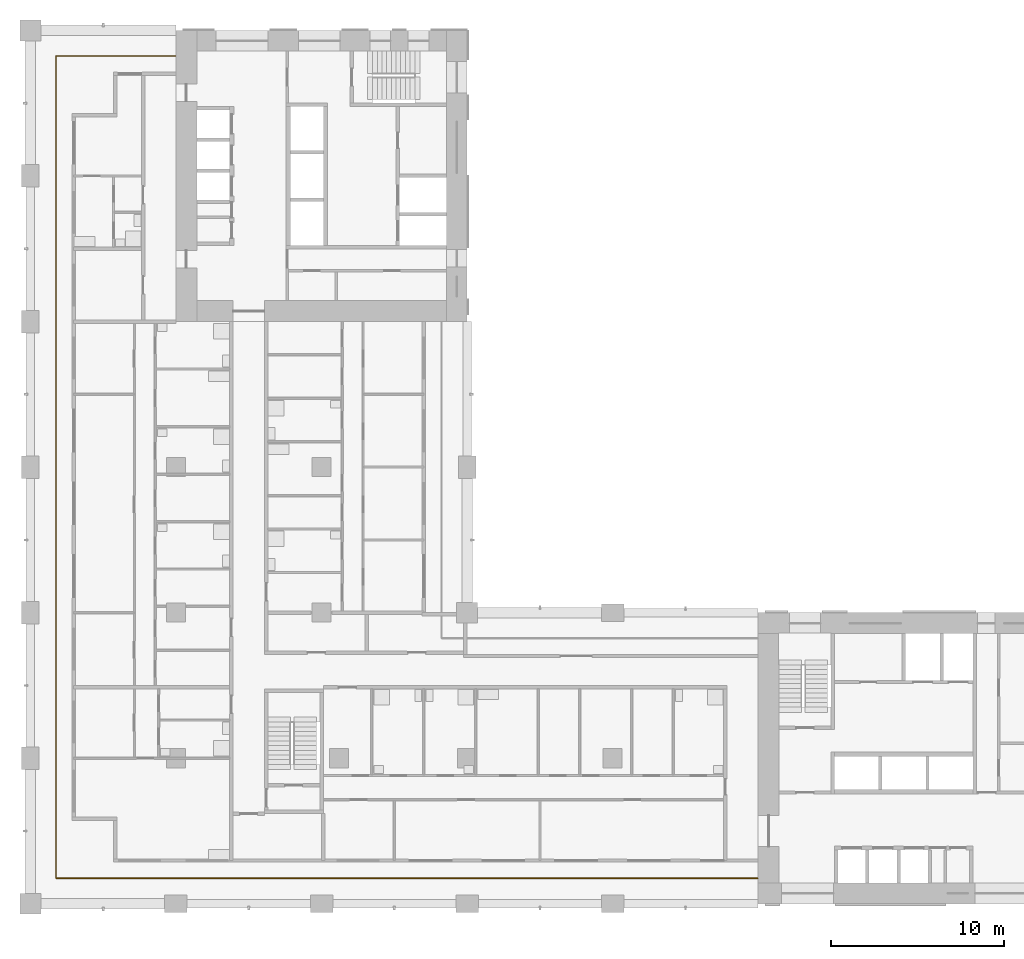
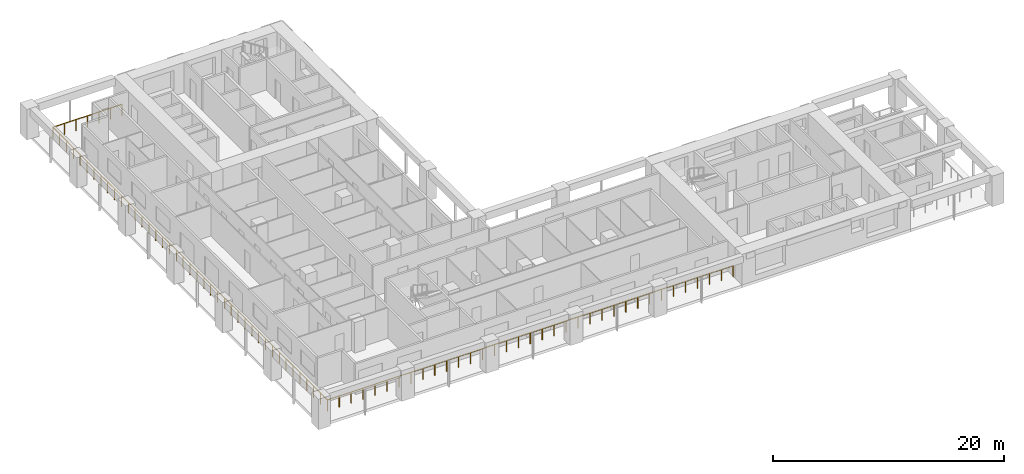
# One storey, part 10 of 16: 1 railing.
"""IFC4 building model written with IfcOpenShell, lengths in metres."""

from ifc_helpers import new_model, si_unit, direction, frame, origin, origin_2d, place, context, subcontext, project, spatial, circle, extrude, material, type_object, element, save


model = new_model("IFC4")

# Units and contexts
model_context = context("Model", 3, precision=1e-05, world=origin(), true_north=direction((0.0, 1.0)))
body_context = subcontext(model_context, "Body", "Model", "MODEL_VIEW")
ifc_project = project(units=[si_unit("LENGTHUNIT", "METRE"), si_unit("AREAUNIT", "SQUARE_METRE"), si_unit("VOLUMEUNIT", "CUBIC_METRE"), si_unit("PLANEANGLEUNIT", "RADIAN"), si_unit("MASSUNIT", "GRAM", prefix="KILO")], contexts=[model_context])

# Site, building, storey
site_placement = place(None, origin())
site = spatial("IfcSite", under=ifc_project, at=site_placement, CompositionType="ELEMENT")
building_placement = place(site_placement, origin())
building = spatial("IfcBuilding", under=site, at=building_placement, Name="Vermilion Gate Residences", CompositionType="ELEMENT")
storey_placement = place(building_placement, frame((0.0, 0.0, 130.199951171875)))
storey = spatial("IfcBuildingStorey", under=building, at=storey_placement, Name="L33", CompositionType="ELEMENT", Elevation=130.199951171875)

# Railing
ifc_material = material(Name="Stainless steel and toughened glass", Category="steel")
railing_type = type_object("IfcRailingType", Name="LOGGIA GUARD STEEL AND GLASS 1200", PredefinedType="GUARDRAIL", material=ifc_material)
railing_placement = place(storey_placement, frame((8.3779296875, 57.324951171875, 0.0)))
element("IfcRailing", 1, at=railing_placement, inside=storey, type_object=railing_type, Name="Loggia guard", PredefinedType="GUARDRAIL", context=body_context, shape_type="SweptSolid", body=[
    extrude(circle(Radius=0.030029296875, at=origin_2d()), frame((0.0, 0.0, 1.169921875), z_axis=(-1.0, 0.0, 0.0), x_axis=(0.0, -1.0, 0.0)), (0.0, 0.0, 1.0), 6.90283203125),
    extrude(circle(Radius=0.030029296875, at=origin_2d()), frame((-6.90283203125, 0.0, 1.169921875), z_axis=(0.0, -1.0, 0.0), x_axis=(1.0, 0.0, 0.0)), (0.0, 0.0, 1.0), 47.449951171875),
    extrude(circle(Radius=0.030029296875, at=origin_2d()), frame((-6.90283203125, -47.449951171875, 1.169921875), z_axis=(1.0, 0.0, 0.0), x_axis=(0.0, 1.0, 0.0)), (0.0, 0.0, 1.0), 40.5029296875),
    extrude(circle(Radius=0.02490234375, at=origin_2d()), origin(), (0.0, 0.0, 1.0), 1.139892578125),
    extrude(circle(Radius=0.02490234375, at=origin_2d()), frame((-1.150390625, 0.0, 0.0)), (0.0, 0.0, 1.0), 1.139892578125),
    extrude(circle(Radius=0.02490234375, at=origin_2d()), frame((-2.301025390625, 0.0, 0.0)), (0.0, 0.0, 1.0), 1.139892578125),
    extrude(circle(Radius=0.02490234375, at=origin_2d()), frame((-3.451416015625, 0.0, 0.0)), (0.0, 0.0, 1.0), 1.139892578125),
    extrude(circle(Radius=0.02490234375, at=origin_2d()), frame((-4.601806640625, 0.0, 0.0)), (0.0, 0.0, 1.0), 1.139892578125),
    extrude(circle(Radius=0.02490234375, at=origin_2d()), frame((-5.75244140625, 0.0, 0.0)), (0.0, 0.0, 1.0), 1.139892578125),
    extrude(circle(Radius=0.02490234375, at=origin_2d()), frame((-6.90283203125, 0.0, 0.0)), (0.0, 0.0, 1.0), 1.139892578125),
    extrude(circle(Radius=0.02490234375, at=origin_2d()), frame((-6.90283203125, -1.186279296875, 0.0)), (0.0, 0.0, 1.0), 1.139892578125),
    extrude(circle(Radius=0.02490234375, at=origin_2d()), frame((-6.90283203125, -2.37255859375, 0.0)), (0.0, 0.0, 1.0), 1.139892578125),
    extrude(circle(Radius=0.02490234375, at=origin_2d()), frame((-6.90283203125, -3.558837890625, 0.0)), (0.0, 0.0, 1.0), 1.139892578125),
    extrude(circle(Radius=0.02490234375, at=origin_2d()), frame((-6.90283203125, -4.7451171875, 0.0)), (0.0, 0.0, 1.0), 1.139892578125),
    extrude(circle(Radius=0.02490234375, at=origin_2d()), frame((-6.90283203125, -5.93115234375, 0.0)), (0.0, 0.0, 1.0), 1.139892578125),
    extrude(circle(Radius=0.02490234375, at=origin_2d()), frame((-6.90283203125, -7.117431640625, 0.0)), (0.0, 0.0, 1.0), 1.139892578125),
    extrude(circle(Radius=0.02490234375, at=origin_2d()), frame((-6.90283203125, -8.3037109375, 0.0)), (0.0, 0.0, 1.0), 1.139892578125),
    extrude(circle(Radius=0.02490234375, at=origin_2d()), frame((-6.90283203125, -9.489990234375, 0.0)), (0.0, 0.0, 1.0), 1.139892578125),
    extrude(circle(Radius=0.02490234375, at=origin_2d()), frame((-6.90283203125, -10.67626953125, 0.0)), (0.0, 0.0, 1.0), 1.139892578125),
    extrude(circle(Radius=0.02490234375, at=origin_2d()), frame((-6.90283203125, -11.862548828125, 0.0)), (0.0, 0.0, 1.0), 1.139892578125),
    extrude(circle(Radius=0.02490234375, at=origin_2d()), frame((-6.90283203125, -13.048828125, 0.0)), (0.0, 0.0, 1.0), 1.139892578125),
    extrude(circle(Radius=0.02490234375, at=origin_2d()), frame((-6.90283203125, -14.23486328125, 0.0)), (0.0, 0.0, 1.0), 1.139892578125),
    extrude(circle(Radius=0.02490234375, at=origin_2d()), frame((-6.90283203125, -15.421142578125, 0.0)), (0.0, 0.0, 1.0), 1.139892578125),
    extrude(circle(Radius=0.02490234375, at=origin_2d()), frame((-6.90283203125, -16.607421875, 0.0)), (0.0, 0.0, 1.0), 1.139892578125),
    extrude(circle(Radius=0.02490234375, at=origin_2d()), frame((-6.90283203125, -17.793701171875, 0.0)), (0.0, 0.0, 1.0), 1.139892578125),
    extrude(circle(Radius=0.02490234375, at=origin_2d()), frame((-6.90283203125, -18.97998046875, 0.0)), (0.0, 0.0, 1.0), 1.139892578125),
    extrude(circle(Radius=0.02490234375, at=origin_2d()), frame((-6.90283203125, -20.166259765625, 0.0)), (0.0, 0.0, 1.0), 1.139892578125),
    extrude(circle(Radius=0.02490234375, at=origin_2d()), frame((-6.90283203125, -21.3525390625, 0.0)), (0.0, 0.0, 1.0), 1.139892578125),
    extrude(circle(Radius=0.02490234375, at=origin_2d()), frame((-6.90283203125, -22.538818359375, 0.0)), (0.0, 0.0, 1.0), 1.139892578125),
    extrude(circle(Radius=0.02490234375, at=origin_2d()), frame((-6.90283203125, -23.72509765625, 0.0)), (0.0, 0.0, 1.0), 1.139892578125),
    extrude(circle(Radius=0.02490234375, at=origin_2d()), frame((-6.90283203125, -24.9111328125, 0.0)), (0.0, 0.0, 1.0), 1.139892578125),
    extrude(circle(Radius=0.02490234375, at=origin_2d()), frame((-6.90283203125, -26.097412109375, 0.0)), (0.0, 0.0, 1.0), 1.139892578125),
    extrude(circle(Radius=0.02490234375, at=origin_2d()), frame((-6.90283203125, -27.28369140625, 0.0)), (0.0, 0.0, 1.0), 1.139892578125),
    extrude(circle(Radius=0.02490234375, at=origin_2d()), frame((-6.90283203125, -28.469970703125, 0.0)), (0.0, 0.0, 1.0), 1.139892578125),
    extrude(circle(Radius=0.02490234375, at=origin_2d()), frame((-6.90283203125, -29.65625, 0.0)), (0.0, 0.0, 1.0), 1.139892578125),
    extrude(circle(Radius=0.02490234375, at=origin_2d()), frame((-6.90283203125, -30.842529296875, 0.0)), (0.0, 0.0, 1.0), 1.139892578125),
    extrude(circle(Radius=0.02490234375, at=origin_2d()), frame((-6.90283203125, -32.02880859375, 0.0)), (0.0, 0.0, 1.0), 1.139892578125),
    extrude(circle(Radius=0.02490234375, at=origin_2d()), frame((-6.90283203125, -33.21484375, 0.0)), (0.0, 0.0, 1.0), 1.139892578125),
    extrude(circle(Radius=0.02490234375, at=origin_2d()), frame((-6.90283203125, -34.401123046875, 0.0)), (0.0, 0.0, 1.0), 1.139892578125),
    extrude(circle(Radius=0.02490234375, at=origin_2d()), frame((-6.90283203125, -35.58740234375, 0.0)), (0.0, 0.0, 1.0), 1.139892578125),
    extrude(circle(Radius=0.02490234375, at=origin_2d()), frame((-6.90283203125, -36.773681640625, 0.0)), (0.0, 0.0, 1.0), 1.139892578125),
    extrude(circle(Radius=0.02490234375, at=origin_2d()), frame((-6.90283203125, -37.9599609375, 0.0)), (0.0, 0.0, 1.0), 1.139892578125),
    extrude(circle(Radius=0.02490234375, at=origin_2d()), frame((-6.90283203125, -39.146240234375, 0.0)), (0.0, 0.0, 1.0), 1.139892578125),
    extrude(circle(Radius=0.02490234375, at=origin_2d()), frame((-6.90283203125, -40.33251953125, 0.0)), (0.0, 0.0, 1.0), 1.139892578125),
    extrude(circle(Radius=0.02490234375, at=origin_2d()), frame((-6.90283203125, -41.518798828125, 0.0)), (0.0, 0.0, 1.0), 1.139892578125),
    extrude(circle(Radius=0.02490234375, at=origin_2d()), frame((-6.90283203125, -42.705078125, 0.0)), (0.0, 0.0, 1.0), 1.139892578125),
    extrude(circle(Radius=0.02490234375, at=origin_2d()), frame((-6.90283203125, -43.89111328125, 0.0)), (0.0, 0.0, 1.0), 1.139892578125),
    extrude(circle(Radius=0.02490234375, at=origin_2d()), frame((-6.90283203125, -45.077392578125, 0.0)), (0.0, 0.0, 1.0), 1.139892578125),
    extrude(circle(Radius=0.02490234375, at=origin_2d()), frame((-6.90283203125, -46.263671875, 0.0)), (0.0, 0.0, 1.0), 1.139892578125),
    extrude(circle(Radius=0.02490234375, at=origin_2d()), frame((-6.90283203125, -47.449951171875, 0.0)), (0.0, 0.0, 1.0), 1.139892578125),
    extrude(circle(Radius=0.02490234375, at=origin_2d()), frame((-5.711669921875, -47.449951171875, 0.0)), (0.0, 0.0, 1.0), 1.139892578125),
    extrude(circle(Radius=0.02490234375, at=origin_2d()), frame((-4.520263671875, -47.449951171875, 0.0)), (0.0, 0.0, 1.0), 1.139892578125),
    extrude(circle(Radius=0.02490234375, at=origin_2d()), frame((-3.3291015625, -47.449951171875, 0.0)), (0.0, 0.0, 1.0), 1.139892578125),
    extrude(circle(Radius=0.02490234375, at=origin_2d()), frame((-2.1376953125, -47.449951171875, 0.0)), (0.0, 0.0, 1.0), 1.139892578125),
    extrude(circle(Radius=0.02490234375, at=origin_2d()), frame((-0.946533203125, -47.449951171875, 0.0)), (0.0, 0.0, 1.0), 1.139892578125),
    extrude(circle(Radius=0.02490234375, at=origin_2d()), frame((0.24462890625, -47.449951171875, 0.0)), (0.0, 0.0, 1.0), 1.139892578125),
    extrude(circle(Radius=0.02490234375, at=origin_2d()), frame((1.43603515625, -47.449951171875, 0.0)), (0.0, 0.0, 1.0), 1.139892578125),
    extrude(circle(Radius=0.02490234375, at=origin_2d()), frame((2.627197265625, -47.449951171875, 0.0)), (0.0, 0.0, 1.0), 1.139892578125),
    extrude(circle(Radius=0.02490234375, at=origin_2d()), frame((3.818603515625, -47.449951171875, 0.0)), (0.0, 0.0, 1.0), 1.139892578125),
    extrude(circle(Radius=0.02490234375, at=origin_2d()), frame((5.009765625, -47.449951171875, 0.0)), (0.0, 0.0, 1.0), 1.139892578125),
    extrude(circle(Radius=0.02490234375, at=origin_2d()), frame((6.201171875, -47.449951171875, 0.0)), (0.0, 0.0, 1.0), 1.139892578125),
    extrude(circle(Radius=0.02490234375, at=origin_2d()), frame((7.392333984375, -47.449951171875, 0.0)), (0.0, 0.0, 1.0), 1.139892578125),
    extrude(circle(Radius=0.02490234375, at=origin_2d()), frame((8.58349609375, -47.449951171875, 0.0)), (0.0, 0.0, 1.0), 1.139892578125),
    extrude(circle(Radius=0.02490234375, at=origin_2d()), frame((9.77490234375, -47.449951171875, 0.0)), (0.0, 0.0, 1.0), 1.139892578125),
    extrude(circle(Radius=0.02490234375, at=origin_2d()), frame((10.966064453125, -47.449951171875, 0.0)), (0.0, 0.0, 1.0), 1.139892578125),
    extrude(circle(Radius=0.02490234375, at=origin_2d()), frame((12.157470703125, -47.449951171875, 0.0)), (0.0, 0.0, 1.0), 1.139892578125),
    extrude(circle(Radius=0.02490234375, at=origin_2d()), frame((13.3486328125, -47.449951171875, 0.0)), (0.0, 0.0, 1.0), 1.139892578125),
    extrude(circle(Radius=0.02490234375, at=origin_2d()), frame((14.539794921875, -47.449951171875, 0.0)), (0.0, 0.0, 1.0), 1.139892578125),
    extrude(circle(Radius=0.02490234375, at=origin_2d()), frame((15.731201171875, -47.449951171875, 0.0)), (0.0, 0.0, 1.0), 1.139892578125),
    extrude(circle(Radius=0.02490234375, at=origin_2d()), frame((16.92236328125, -47.449951171875, 0.0)), (0.0, 0.0, 1.0), 1.139892578125),
    extrude(circle(Radius=0.02490234375, at=origin_2d()), frame((18.11376953125, -47.449951171875, 0.0)), (0.0, 0.0, 1.0), 1.139892578125),
    extrude(circle(Radius=0.02490234375, at=origin_2d()), frame((19.304931640625, -47.449951171875, 0.0)), (0.0, 0.0, 1.0), 1.139892578125),
    extrude(circle(Radius=0.02490234375, at=origin_2d()), frame((20.49609375, -47.449951171875, 0.0)), (0.0, 0.0, 1.0), 1.139892578125),
    extrude(circle(Radius=0.02490234375, at=origin_2d()), frame((21.6875, -47.449951171875, 0.0)), (0.0, 0.0, 1.0), 1.139892578125),
    extrude(circle(Radius=0.02490234375, at=origin_2d()), frame((22.878662109375, -47.449951171875, 0.0)), (0.0, 0.0, 1.0), 1.139892578125),
    extrude(circle(Radius=0.02490234375, at=origin_2d()), frame((24.070068359375, -47.449951171875, 0.0)), (0.0, 0.0, 1.0), 1.139892578125),
    extrude(circle(Radius=0.02490234375, at=origin_2d()), frame((25.26123046875, -47.449951171875, 0.0)), (0.0, 0.0, 1.0), 1.139892578125),
    extrude(circle(Radius=0.02490234375, at=origin_2d()), frame((26.45263671875, -47.449951171875, 0.0)), (0.0, 0.0, 1.0), 1.139892578125),
    extrude(circle(Radius=0.02490234375, at=origin_2d()), frame((27.643798828125, -47.449951171875, 0.0)), (0.0, 0.0, 1.0), 1.139892578125),
    extrude(circle(Radius=0.02490234375, at=origin_2d()), frame((28.8349609375, -47.449951171875, 0.0)), (0.0, 0.0, 1.0), 1.139892578125),
    extrude(circle(Radius=0.02490234375, at=origin_2d()), frame((30.0263671875, -47.449951171875, 0.0)), (0.0, 0.0, 1.0), 1.139892578125),
    extrude(circle(Radius=0.02490234375, at=origin_2d()), frame((31.217529296875, -47.449951171875, 0.0)), (0.0, 0.0, 1.0), 1.139892578125),
    extrude(circle(Radius=0.02490234375, at=origin_2d()), frame((32.408935546875, -47.449951171875, 0.0)), (0.0, 0.0, 1.0), 1.139892578125),
    extrude(circle(Radius=0.02490234375, at=origin_2d()), frame((33.60009765625, -47.449951171875, 0.0)), (0.0, 0.0, 1.0), 1.139892578125),
])

save(model, "model.ifc")
